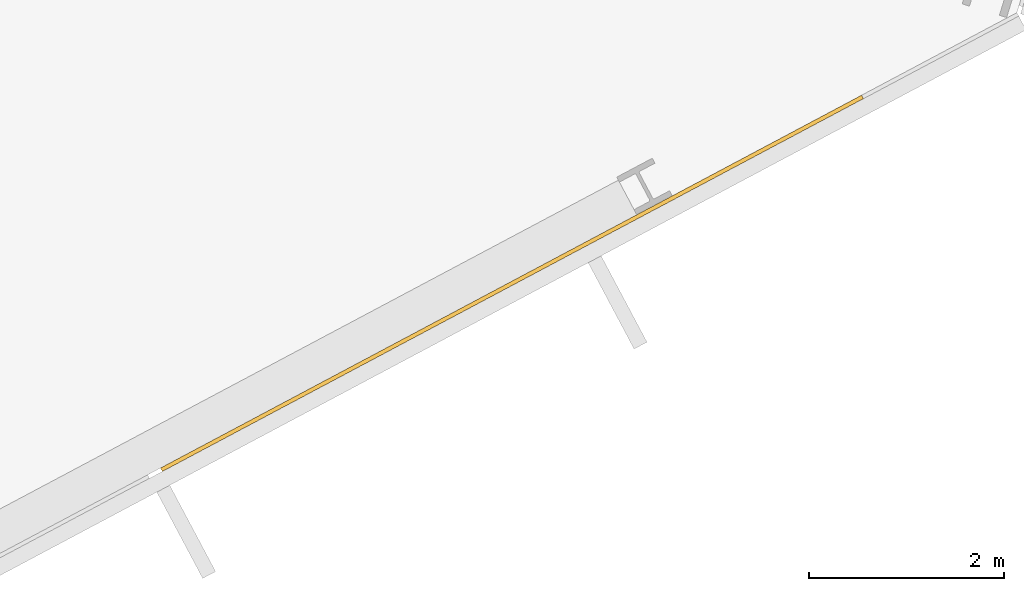
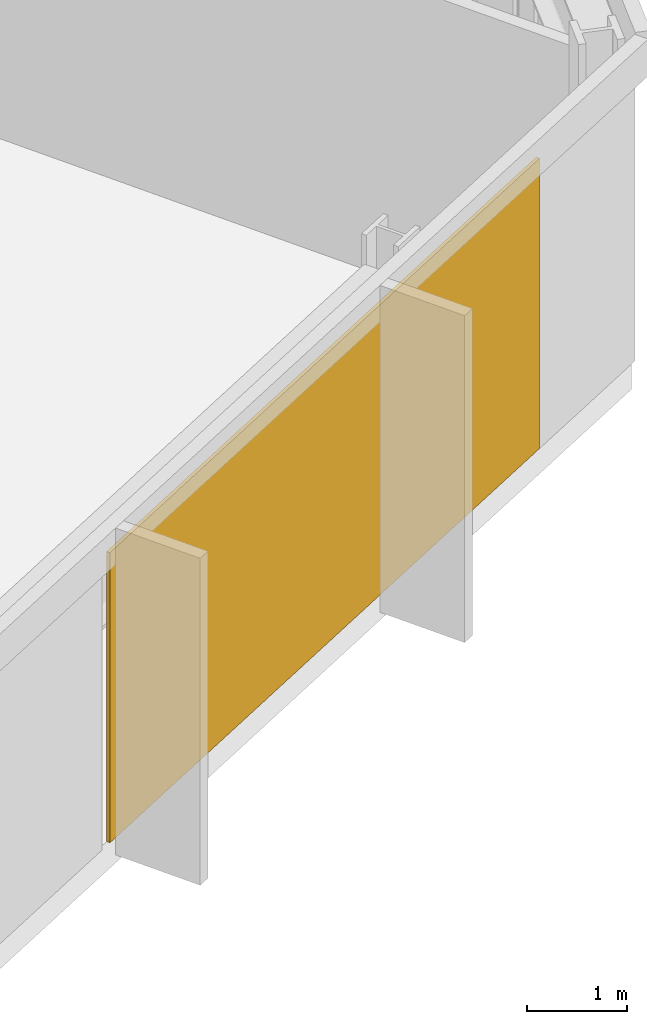
# One storey, part 26 of 28: 1 covering, 1 element without a shape of its own.
"""IFC4 building model written with IfcOpenShell, lengths in metres."""

from ifc_helpers import new_model, si_unit, direction, frame, origin, origin_2d, place, context, subcontext, project, spatial, rectangle, extrude, material, layer, layer_set, type_object, element, aggregate, save


model = new_model("IFC4")

# Units and contexts
model_context = context("Model", 3, precision=1e-05, world=origin(), true_north=direction((0.0, 1.0)))
body_context = subcontext(model_context, "Body", "Model", "MODEL_VIEW")
ifc_project = project(units=[si_unit("LENGTHUNIT", "METRE"), si_unit("AREAUNIT", "SQUARE_METRE"), si_unit("VOLUMEUNIT", "CUBIC_METRE"), si_unit("PLANEANGLEUNIT", "RADIAN"), si_unit("MASSUNIT", "GRAM", prefix="KILO")], contexts=[model_context])

# Site, building, storey
site_placement = place(None, origin())
site = spatial("IfcSite", under=ifc_project, at=site_placement, CompositionType="ELEMENT")
building_placement = place(site_placement, origin())
building = spatial("IfcBuilding", under=site, at=building_placement, Name="Cormorant Relay Tower", CompositionType="ELEMENT")
storey_placement = place(building_placement, frame((0.0, 0.0, 142.199951171875)))
storey = spatial("IfcBuildingStorey", under=building, at=storey_placement, Name="L29", CompositionType="ELEMENT", Elevation=142.199951171875)

# Curtain wall, covering
ifc_material_1 = material(Name="Aluminium 6063-T6 anodised bronze", Category="aluminium")
ifc_layer_1 = layer(ifc_material_1, 0.199951171875)
ifc_layer_set_1 = layer_set([ifc_layer_1], Name="CW1 unitised bronze curtain wall with vertical fins")
curtain_wall_type = type_object("IfcCurtainWallType", Name="CW1 unitised bronze curtain wall with vertical fins", PredefinedType="NOTDEFINED", material=ifc_layer_set_1)
curtain_wall_placement = place(storey_placement, origin())
curtain_wall = element("IfcCurtainWall", 1, at=curtain_wall_placement, inside=storey, type_object=curtain_wall_type, Name="CW1 curtain wall 4", PredefinedType="NOTDEFINED")
ifc_material_2 = material(Name="Pale bronze anodised aluminium insulated panel", Category="aluminium")
ifc_layer_2 = layer(ifc_material_2, 0.0400390625)
ifc_layer_set_2 = layer_set([ifc_layer_2], Name="CW1 pale bronze insulated panel 40")
covering_type = type_object("IfcCoveringType", Name="CW1 pale bronze insulated panel 40", PredefinedType="CLADDING", material=ifc_layer_set_2)
covering_placement = place(storey_placement, frame((50.54931640625, 5.336181640625, 0.0), z_axis=(0.0, 0.0, 1.0), x_axis=(0.882947592859, 0.469471562786, 0.0)))
covering = element("IfcCovering", 2, at=covering_placement, type_object=covering_type, Name="CW1 panel S04", PredefinedType="CLADDING", context=body_context, shape_type="SweptSolid", body=[
    extrude(rectangle(XDim=8.125, YDim=0.0400390625, at=origin_2d()), origin(), (0.0, 0.0, 1.0), 3.550048828125),
])
aggregate(curtain_wall, [covering])

save(model, "model.ifc")
